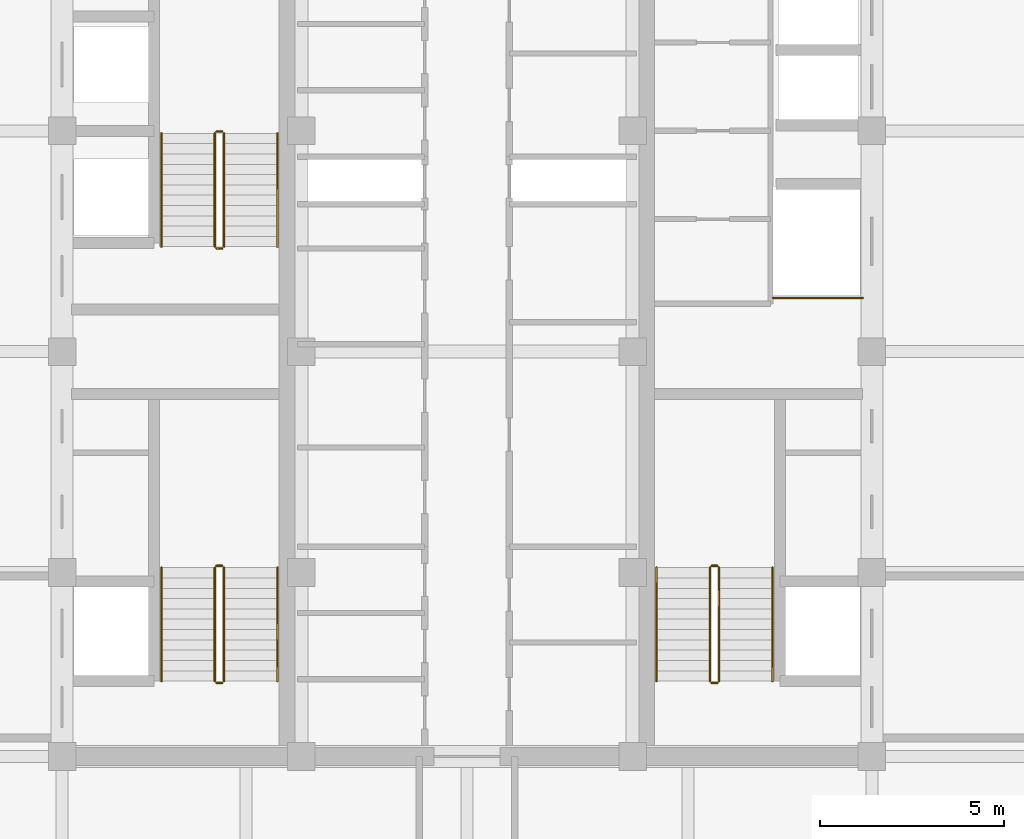
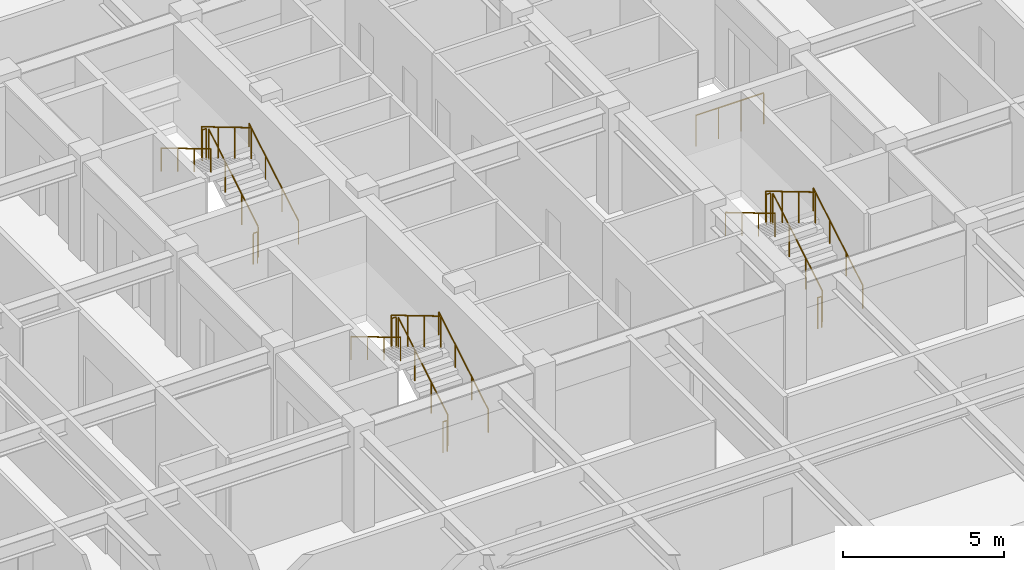
# One storey, part 29 of 29: 19 railings.
"""IFC4 building model written with IfcOpenShell, lengths in metres."""

from ifc_helpers import new_model, si_unit, direction, frame, origin, origin_2d, place, context, subcontext, project, spatial, circle, extrude, source, transform, mapped, material, type_object, element, save


model = new_model("IFC4")

# Units and contexts
model_context = context("Model", 3, precision=1e-05, world=origin(), true_north=direction((0.0, 1.0)))
body_context = subcontext(model_context, "Body", "Model", "MODEL_VIEW")
ifc_project = project(units=[si_unit("LENGTHUNIT", "METRE"), si_unit("AREAUNIT", "SQUARE_METRE"), si_unit("VOLUMEUNIT", "CUBIC_METRE"), si_unit("PLANEANGLEUNIT", "RADIAN"), si_unit("MASSUNIT", "GRAM", prefix="KILO")], contexts=[model_context])

# Site, building, storey
site_placement = place(None, origin())
site = spatial("IfcSite", under=ifc_project, at=site_placement, CompositionType="ELEMENT")
building_placement = place(site_placement, origin())
building = spatial("IfcBuilding", under=site, at=building_placement, Name="Khorayat Bourse Tower", CompositionType="ELEMENT")
storey_placement = place(building_placement, frame((0.0, 0.0, 358.300048828125)))
storey = spatial("IfcBuildingStorey", under=building, at=storey_placement, Name="L85", CompositionType="ELEMENT", Elevation=358.300048828125)

# Railings
ifc_material_1 = material(Name="Powder-coated steel balustrade", Category="steel")
railing_type_1 = type_object("IfcRailingType", Name="RLG-GUARD-1200", PredefinedType="GUARDRAIL", material=ifc_material_1)
shared_shape_1 = source(origin(), body_context, "Body", "SweptSolid", [
    extrude(circle(Radius=0.02392578125, at=origin_2d()), frame((0.0, 0.0, 1.17578125), z_axis=(-1.0, 0.0, 0.0), x_axis=(0.0, -1.0, 0.0)), (0.0, 0.0, 1.0), 0.150146484375),
    extrude(circle(Radius=0.02099609375, at=origin_2d()), origin(), (0.0, 0.0, 1.0), 1.15185546875),
    extrude(circle(Radius=0.02099609375, at=origin_2d()), frame((-0.150146484375, 0.0, 0.0)), (0.0, 0.0, 1.0), 1.15185546875),
])
for number, where, name in (
    (1, (-6.64990234375, -5.820068359375, 2.0), "L85 ST-1 stair guard 2"),
    (2, (-6.64990234375, -9.0, 0.0), "L85 ST-1 stair guard 4"),
    (3, (-6.64990234375, 5.97998046875, 2.0), "L85 ST-2 stair guard 2"),
    (4, (-6.64990234375, 2.800048828125, 0.0), "L85 ST-2 stair guard 4"),
    (5, (6.800048828125, -5.820068359375, 2.0), "L85 ST-3 stair guard 2"),
    (6, (6.800048828125, -9.0, 0.0), "L85 ST-3 stair guard 4"),
):
    element("IfcRailing", number, at=place(storey_placement, frame(where)), inside=storey, type_object=railing_type_1, Name=name, PredefinedType="GUARDRAIL", context=body_context, shape_type="MappedRepresentation", body=[
        mapped(shared_shape_1, transform((0.0, 0.0, 0.0), scale=1.0)),
    ])
shared_shape_2 = source(origin(), body_context, "Body", "SweptSolid", [
    extrude(circle(Radius=0.02392578125, at=origin_2d()), frame((0.0, 0.0, 1.17578125), z_axis=(0.0, 0.859260807169, 0.511537745687), x_axis=(-1.0, 0.0, 0.0)), (0.0, 0.0, 1.0), 3.584228515625),
    extrude(circle(Radius=0.02099609375, at=origin_2d()), origin(), (0.0, 0.0, 1.0), 1.15185546875),
    extrude(circle(Radius=0.02099609375, at=origin_2d()), frame((0.0, 1.026611328125, 0.611083984375)), (0.0, 0.0, 1.0), 1.15185546875),
    extrude(circle(Radius=0.02099609375, at=origin_2d()), frame((0.0, 2.05322265625, 1.222412109375)), (0.0, 0.0, 1.0), 1.15185546875),
    extrude(circle(Radius=0.02099609375, at=origin_2d()), frame((0.0, 3.079833984375, 1.83349609375)), (0.0, 0.0, 1.0), 1.15185546875),
])
for number, where, name in (
    (7, (-6.60009765625, -8.949951171875, 0.16650390625), "L85 ST-1 stair guard 1"),
    (8, (-6.60009765625, 2.85009765625, 0.16650390625), "L85 ST-2 stair guard 1"),
    (9, (6.85009765625, -8.949951171875, 0.16650390625), "L85 ST-3 stair guard 1"),
):
    element("IfcRailing", number, at=place(storey_placement, frame(where)), inside=storey, type_object=railing_type_1, Name=name, PredefinedType="GUARDRAIL", context=body_context, shape_type="MappedRepresentation", body=[
        mapped(shared_shape_2, transform((0.0, 0.0, 0.0), scale=1.0)),
    ])
shared_shape_3 = source(origin(), body_context, "Body", "SweptSolid", [
    extrude(circle(Radius=0.02392578125, at=origin_2d()), frame((0.0, 0.0, 1.17578125), z_axis=(0.0, -0.859260807169, 0.511537745687), x_axis=(1.0, 0.0, 0.0)), (0.0, 0.0, 1.0), 3.584228515625),
    extrude(circle(Radius=0.02099609375, at=origin_2d()), origin(), (0.0, 0.0, 1.0), 1.15185546875),
    extrude(circle(Radius=0.02099609375, at=origin_2d()), frame((0.0, -1.026611328125, 0.611083984375)), (0.0, 0.0, 1.0), 1.15185546875),
    extrude(circle(Radius=0.02099609375, at=origin_2d()), frame((0.0, -2.05322265625, 1.222412109375)), (0.0, 0.0, 1.0), 1.15185546875),
    extrude(circle(Radius=0.02099609375, at=origin_2d()), frame((0.0, -3.079833984375, 1.83349609375)), (0.0, 0.0, 1.0), 1.15185546875),
])
for number, where, name in (
    (10, (-6.85009765625, -5.8701171875, 2.16650390625), "L85 ST-1 stair guard 3"),
    (11, (-6.85009765625, 5.929931640625, 2.16650390625), "L85 ST-2 stair guard 3"),
    (12, (6.60009765625, -5.8701171875, 2.16650390625), "L85 ST-3 stair guard 3"),
):
    element("IfcRailing", number, at=place(storey_placement, frame(where)), inside=storey, type_object=railing_type_1, Name=name, PredefinedType="GUARDRAIL", context=body_context, shape_type="MappedRepresentation", body=[
        mapped(shared_shape_3, transform((0.0, 0.0, 0.0), scale=1.0)),
    ])
ifc_material_2 = material(Name="Brushed bronze stainless-steel handrail", Category="steel")
railing_type_2 = type_object("IfcRailingType", Name="RLG-HAND-900", PredefinedType="HANDRAIL", material=ifc_material_2)
shared_shape_4 = source(origin(), body_context, "Body", "SweptSolid", [
    extrude(circle(Radius=0.02392578125, at=origin_2d()), frame((0.0, 0.0, 0.8759765625), z_axis=(0.0, 0.859260807169, 0.511537745687), x_axis=(-1.0, 0.0, 0.0)), (0.0, 0.0, 1.0), 3.584228515625),
    extrude(circle(Radius=0.02099609375, at=origin_2d()), origin(), (0.0, 0.0, 1.0), 0.851806640625),
    extrude(circle(Radius=0.02099609375, at=origin_2d()), frame((0.0, 1.026611328125, 0.611083984375)), (0.0, 0.0, 1.0), 0.851806640625),
    extrude(circle(Radius=0.02099609375, at=origin_2d()), frame((0.0, 2.05322265625, 1.222412109375)), (0.0, 0.0, 1.0), 0.851806640625),
    extrude(circle(Radius=0.02099609375, at=origin_2d()), frame((0.0, 3.079833984375, 1.83349609375)), (0.0, 0.0, 1.0), 0.851806640625),
])
for number, where, name in (
    (13, (-5.14990234375, -8.949951171875, 0.16650390625), "L85 ST-1 stair handrail 1"),
    (14, (-5.14990234375, 2.85009765625, 0.16650390625), "L85 ST-2 stair handrail 1"),
    (15, (8.300048828125, -8.949951171875, 0.16650390625), "L85 ST-3 stair handrail 1"),
):
    element("IfcRailing", number, at=place(storey_placement, frame(where)), inside=storey, type_object=railing_type_2, Name=name, PredefinedType="HANDRAIL", context=body_context, shape_type="MappedRepresentation", body=[
        mapped(shared_shape_4, transform((0.0, 0.0, 0.0), scale=1.0)),
    ])
shared_shape_5 = source(origin(), body_context, "Body", "SweptSolid", [
    extrude(circle(Radius=0.02392578125, at=origin_2d()), frame((0.0, 0.0, 0.8759765625), z_axis=(0.0, -0.859260807169, 0.511537745687), x_axis=(1.0, 0.0, 0.0)), (0.0, 0.0, 1.0), 3.584228515625),
    extrude(circle(Radius=0.02099609375, at=origin_2d()), origin(), (0.0, 0.0, 1.0), 0.851806640625),
    extrude(circle(Radius=0.02099609375, at=origin_2d()), frame((0.0, -1.026611328125, 0.611083984375)), (0.0, 0.0, 1.0), 0.851806640625),
    extrude(circle(Radius=0.02099609375, at=origin_2d()), frame((0.0, -2.05322265625, 1.222412109375)), (0.0, 0.0, 1.0), 0.851806640625),
    extrude(circle(Radius=0.02099609375, at=origin_2d()), frame((0.0, -3.079833984375, 1.83349609375)), (0.0, 0.0, 1.0), 0.851806640625),
])
for number, where, name in (
    (16, (-8.300048828125, -5.8701171875, 2.16650390625), "L85 ST-1 stair handrail 2"),
    (17, (-8.300048828125, 5.929931640625, 2.16650390625), "L85 ST-2 stair handrail 2"),
    (18, (5.14990234375, -5.8701171875, 2.16650390625), "L85 ST-3 stair handrail 2"),
):
    element("IfcRailing", number, at=place(storey_placement, frame(where)), inside=storey, type_object=railing_type_2, Name=name, PredefinedType="HANDRAIL", context=body_context, shape_type="MappedRepresentation", body=[
        mapped(shared_shape_5, transform((0.0, 0.0, 0.0), scale=1.0)),
    ])
shared_shape_6 = source(origin(), body_context, "Body", "SweptSolid", [
    extrude(circle(Radius=0.02392578125, at=origin_2d()), frame((0.0, 0.0, 1.17578125), z_axis=(1.0, 0.0, 0.0), x_axis=(0.0, 1.0, 0.0)), (0.0, 0.0, 1.0), 2.429931640625),
    extrude(circle(Radius=0.02099609375, at=origin_2d()), origin(), (0.0, 0.0, 1.0), 1.15185546875),
    extrude(circle(Radius=0.02099609375, at=origin_2d()), frame((0.81005859375, 0.0, 0.0)), (0.0, 0.0, 1.0), 1.15185546875),
    extrude(circle(Radius=0.02099609375, at=origin_2d()), frame((1.619873046875, 0.0, 0.0)), (0.0, 0.0, 1.0), 1.15185546875),
    extrude(circle(Radius=0.02099609375, at=origin_2d()), frame((2.429931640625, 0.0, 0.0)), (0.0, 0.0, 1.0), 1.15185546875),
])
railing_placement = place(storey_placement, frame((8.320068359375, 1.4599609375, 0.0)))
element("IfcRailing", 19, at=railing_placement, inside=storey, type_object=railing_type_1, Name="L85 Goods Shaft Opening Guardrail", PredefinedType="GUARDRAIL", context=body_context, shape_type="MappedRepresentation", body=[
    mapped(shared_shape_6, transform((0.0, 0.0, 0.0), scale=1.0)),
])

save(model, "model.ifc")
